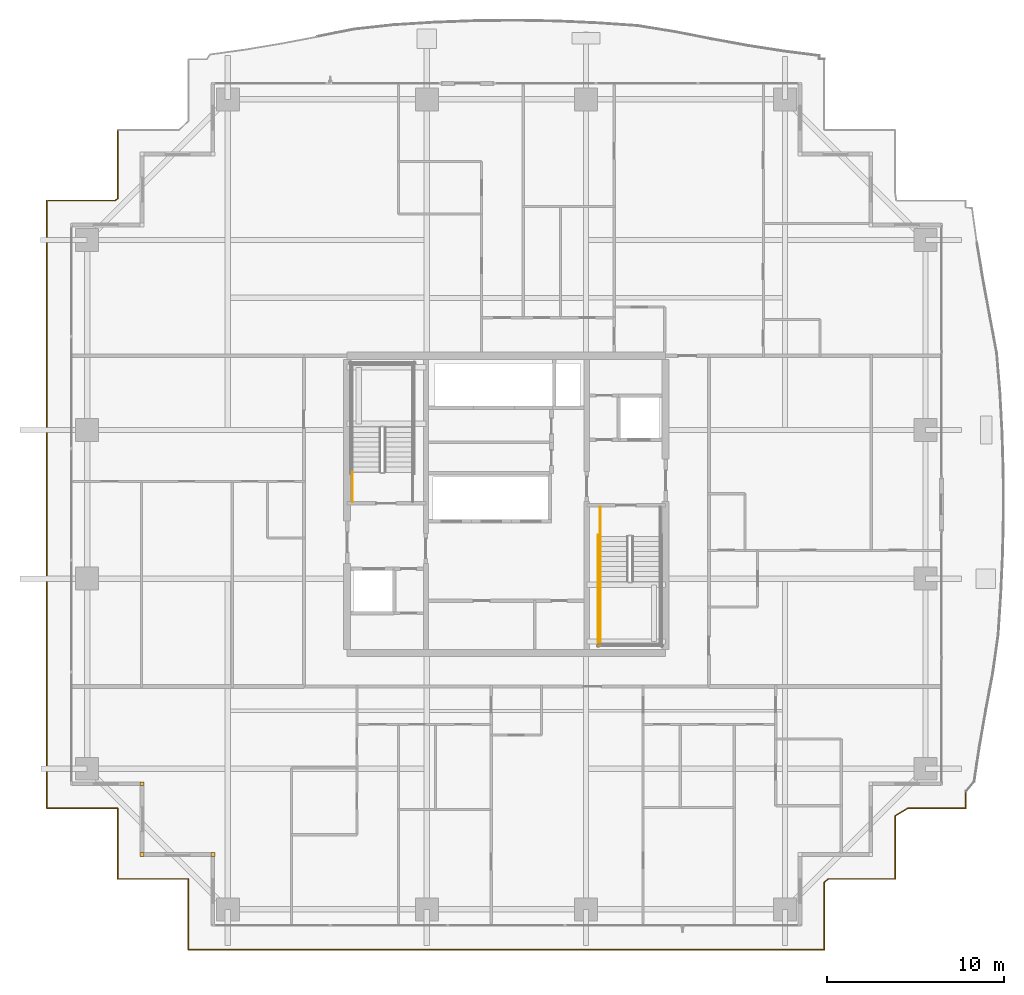
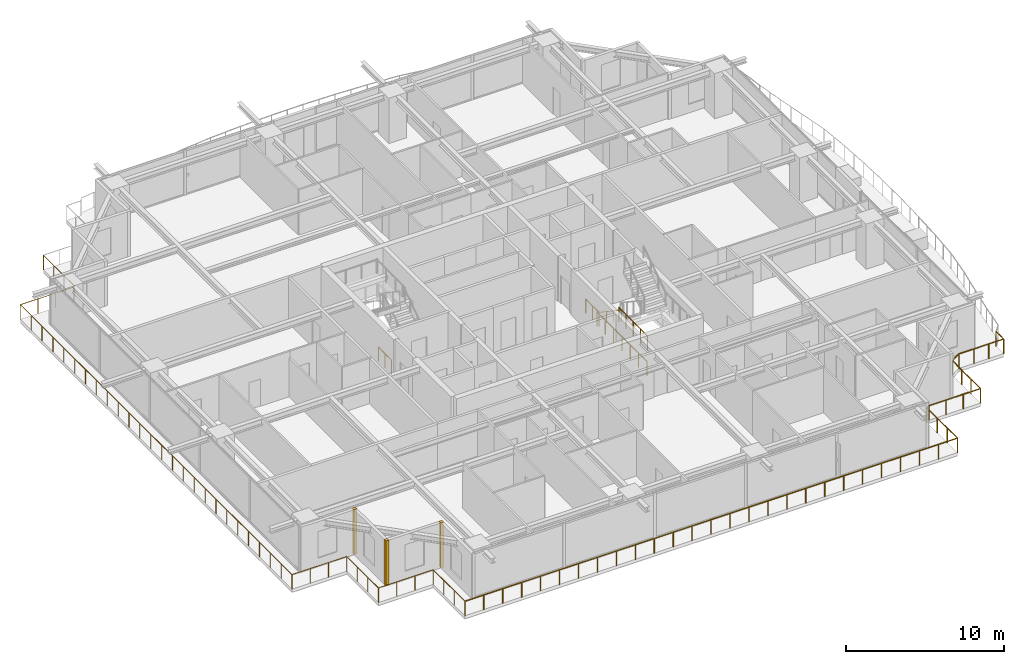
# One storey, part 30 of 34: 7 railings, 3 coverings.
"""IFC4 building model written with IfcOpenShell, lengths in metres."""

from ifc_helpers import new_model, si_unit, direction, frame, origin, origin_2d, place, context, subcontext, project, spatial, rectangle, circle, extrude, source, transform, mapped, material, layer, layer_set, type_object, element, save


model = new_model("IFC4")

# Units and contexts
model_context = context("Model", 3, precision=1e-05, world=origin(), true_north=direction((0.0, 1.0)))
body_context = subcontext(model_context, "Body", "Model", "MODEL_VIEW")
ifc_project = project(units=[si_unit("LENGTHUNIT", "METRE"), si_unit("AREAUNIT", "SQUARE_METRE"), si_unit("VOLUMEUNIT", "CUBIC_METRE"), si_unit("PLANEANGLEUNIT", "RADIAN"), si_unit("MASSUNIT", "GRAM", prefix="KILO")], contexts=[model_context])

# Site, building, storey
site_placement = place(None, origin())
site = spatial("IfcSite", under=ifc_project, at=site_placement, CompositionType="ELEMENT")
building_placement = place(site_placement, origin())
building = spatial("IfcBuilding", under=site, at=building_placement, Name="Serunith Strait Residences", CompositionType="ELEMENT")
storey_placement = place(building_placement, frame((0.0, 0.0, 135.14990234375)))
storey = spatial("IfcBuildingStorey", under=building, at=storey_placement, Name="L33", CompositionType="ELEMENT", Elevation=135.14990234375)

# Railings
ifc_material_1 = material(Name="Stainless Steel & Laminated Glass Balustrade", Category="steel")
railing_type_1 = type_object("IfcRailingType", Name="RLG-BALC-1150", PredefinedType="BALUSTRADE", material=ifc_material_1)
railing_1_placement = place(storey_placement, frame((58.3798828125, 8.976806640625, -0.0498046875)))
element("IfcRailing", 1, at=railing_1_placement, inside=storey, type_object=railing_type_1, Name="L33 Swirling Balcony Perimeter Balustrade 7", PredefinedType="BALUSTRADE", context=body_context, shape_type="SweptSolid", body=[
    extrude(circle(Radius=0.02392578125, at=origin_2d()), frame((0.0, -0.001953125, 1.1259765625), z_axis=(0.0, -1.0, 0.0), x_axis=(1.0, 0.0, 0.0)), (0.0, 0.0, 1.0), 0.952880859375),
    extrude(circle(Radius=0.02392578125, at=origin_2d()), frame((-0.001953125, -0.956787109375, 1.1259765625), z_axis=(-1.0, 0.0, 0.0), x_axis=(0.0, -1.0, 0.0)), (0.0, 0.0, 1.0), 3.260986328125),
    extrude(circle(Radius=0.02392578125, at=origin_2d()), frame((-3.2666015625, -0.957763671875, 1.1259765625), z_axis=(-0.857693933296, -0.514160594354, 0.0), x_axis=(0.514160594354, -0.857693933296, 0.0)), (0.0, 0.0, 1.0), 0.85302734375),
    extrude(circle(Radius=0.02392578125, at=origin_2d()), frame((-4.0, -1.3994140625, 1.1259765625), z_axis=(0.0, -1.0, 0.0), x_axis=(1.0, 0.0, 0.0)), (0.0, 0.0, 1.0), 3.555419921875),
    extrude(circle(Radius=0.02392578125, at=origin_2d()), frame((-4.001953125, -4.956787109375, 1.1259765625), z_axis=(-1.0, 0.0, 0.0), x_axis=(0.0, -1.0, 0.0)), (0.0, 0.0, 1.0), 3.774169921875),
    extrude(circle(Radius=0.02392578125, at=origin_2d()), frame((-7.779541015625, -4.9580078125, 1.1259765625), z_axis=(-0.778021630841, -0.62823748849, 0.0), x_axis=(0.62823748849, -0.778021630841, 0.0)), (0.0, 0.0, 1.0), 0.28125),
    extrude(circle(Radius=0.02392578125, at=origin_2d()), frame((-8.0, -5.137939453125, 1.1259765625), z_axis=(0.0, -1.0, 0.0), x_axis=(1.0, 0.0, 0.0)), (0.0, 0.0, 1.0), 3.81689453125),
    extrude(circle(Radius=0.02392578125, at=origin_2d()), frame((-8.001953125, -8.956787109375, 1.1259765625), z_axis=(-1.0, 0.0, 0.0), x_axis=(0.0, -1.0, 0.0)), (0.0, 0.0, 1.0), 35.9560546875),
    extrude(circle(Radius=0.02099609375, at=origin_2d()), origin(), (0.0, 0.0, 1.0), 1.099853515625),
    extrude(circle(Radius=0.02099609375, at=origin_2d()), frame((0.0, -0.956787109375, 0.0)), (0.0, 0.0, 1.0), 1.099853515625),
    extrude(circle(Radius=0.02099609375, at=origin_2d()), frame((-1.08837890625, -0.956787109375, 0.0)), (0.0, 0.0, 1.0), 1.099853515625),
    extrude(circle(Radius=0.02099609375, at=origin_2d()), frame((-2.176513671875, -0.956787109375, 0.0)), (0.0, 0.0, 1.0), 1.099853515625),
    extrude(circle(Radius=0.02099609375, at=origin_2d()), frame((-3.264892578125, -0.956787109375, 0.0)), (0.0, 0.0, 1.0), 1.099853515625),
    extrude(circle(Radius=0.02099609375, at=origin_2d()), frame((-4.0, -1.3974609375, 0.0)), (0.0, 0.0, 1.0), 1.099853515625),
    extrude(circle(Radius=0.02099609375, at=origin_2d()), frame((-4.0, -2.583984375, 0.0)), (0.0, 0.0, 1.0), 1.099853515625),
    extrude(circle(Radius=0.02099609375, at=origin_2d()), frame((-4.0, -3.770263671875, 0.0)), (0.0, 0.0, 1.0), 1.099853515625),
    extrude(circle(Radius=0.02099609375, at=origin_2d()), frame((-4.0, -4.956787109375, 0.0)), (0.0, 0.0, 1.0), 1.099853515625),
    extrude(circle(Radius=0.02099609375, at=origin_2d()), frame((-5.25927734375, -4.956787109375, 0.0)), (0.0, 0.0, 1.0), 1.099853515625),
    extrude(circle(Radius=0.02099609375, at=origin_2d()), frame((-6.518798828125, -4.956787109375, 0.0)), (0.0, 0.0, 1.0), 1.099853515625),
    extrude(circle(Radius=0.02099609375, at=origin_2d()), frame((-7.778076171875, -4.956787109375, 0.0)), (0.0, 0.0, 1.0), 1.099853515625),
    extrude(circle(Radius=0.02099609375, at=origin_2d()), frame((-8.0, -5.135986328125, 0.0)), (0.0, 0.0, 1.0), 1.099853515625),
    extrude(circle(Radius=0.02099609375, at=origin_2d()), frame((-8.0, -6.40966796875, 0.0)), (0.0, 0.0, 1.0), 1.099853515625),
    extrude(circle(Radius=0.02099609375, at=origin_2d()), frame((-8.0, -7.68310546875, 0.0)), (0.0, 0.0, 1.0), 1.099853515625),
    extrude(circle(Radius=0.02099609375, at=origin_2d()), frame((-8.0, -8.956787109375, 0.0)), (0.0, 0.0, 1.0), 1.099853515625),
    extrude(circle(Radius=0.02099609375, at=origin_2d()), frame((-9.383056640625, -8.956787109375, 0.0)), (0.0, 0.0, 1.0), 1.099853515625),
    extrude(circle(Radius=0.02099609375, at=origin_2d()), frame((-10.76611328125, -8.956787109375, 0.0)), (0.0, 0.0, 1.0), 1.099853515625),
    extrude(circle(Radius=0.02099609375, at=origin_2d()), frame((-12.149169921875, -8.956787109375, 0.0)), (0.0, 0.0, 1.0), 1.099853515625),
    extrude(circle(Radius=0.02099609375, at=origin_2d()), frame((-13.5322265625, -8.956787109375, 0.0)), (0.0, 0.0, 1.0), 1.099853515625),
    extrude(circle(Radius=0.02099609375, at=origin_2d()), frame((-14.915283203125, -8.956787109375, 0.0)), (0.0, 0.0, 1.0), 1.099853515625),
    extrude(circle(Radius=0.02099609375, at=origin_2d()), frame((-16.29833984375, -8.956787109375, 0.0)), (0.0, 0.0, 1.0), 1.099853515625),
    extrude(circle(Radius=0.02099609375, at=origin_2d()), frame((-17.681640625, -8.956787109375, 0.0)), (0.0, 0.0, 1.0), 1.099853515625),
    extrude(circle(Radius=0.02099609375, at=origin_2d()), frame((-19.064697265625, -8.956787109375, 0.0)), (0.0, 0.0, 1.0), 1.099853515625),
    extrude(circle(Radius=0.02099609375, at=origin_2d()), frame((-20.44775390625, -8.956787109375, 0.0)), (0.0, 0.0, 1.0), 1.099853515625),
    extrude(circle(Radius=0.02099609375, at=origin_2d()), frame((-21.830810546875, -8.956787109375, 0.0)), (0.0, 0.0, 1.0), 1.099853515625),
    extrude(circle(Radius=0.02099609375, at=origin_2d()), frame((-23.2138671875, -8.956787109375, 0.0)), (0.0, 0.0, 1.0), 1.099853515625),
    extrude(circle(Radius=0.02099609375, at=origin_2d()), frame((-24.596923828125, -8.956787109375, 0.0)), (0.0, 0.0, 1.0), 1.099853515625),
    extrude(circle(Radius=0.02099609375, at=origin_2d()), frame((-25.97998046875, -8.956787109375, 0.0)), (0.0, 0.0, 1.0), 1.099853515625),
    extrude(circle(Radius=0.02099609375, at=origin_2d()), frame((-27.363037109375, -8.956787109375, 0.0)), (0.0, 0.0, 1.0), 1.099853515625),
    extrude(circle(Radius=0.02099609375, at=origin_2d()), frame((-28.74609375, -8.956787109375, 0.0)), (0.0, 0.0, 1.0), 1.099853515625),
    extrude(circle(Radius=0.02099609375, at=origin_2d()), frame((-30.129150390625, -8.956787109375, 0.0)), (0.0, 0.0, 1.0), 1.099853515625),
    extrude(circle(Radius=0.02099609375, at=origin_2d()), frame((-31.51220703125, -8.956787109375, 0.0)), (0.0, 0.0, 1.0), 1.099853515625),
    extrude(circle(Radius=0.02099609375, at=origin_2d()), frame((-32.895263671875, -8.956787109375, 0.0)), (0.0, 0.0, 1.0), 1.099853515625),
    extrude(circle(Radius=0.02099609375, at=origin_2d()), frame((-34.2783203125, -8.956787109375, 0.0)), (0.0, 0.0, 1.0), 1.099853515625),
    extrude(circle(Radius=0.02099609375, at=origin_2d()), frame((-35.66162109375, -8.956787109375, 0.0)), (0.0, 0.0, 1.0), 1.099853515625),
    extrude(circle(Radius=0.02099609375, at=origin_2d()), frame((-37.044677734375, -8.956787109375, 0.0)), (0.0, 0.0, 1.0), 1.099853515625),
    extrude(circle(Radius=0.02099609375, at=origin_2d()), frame((-38.427734375, -8.956787109375, 0.0)), (0.0, 0.0, 1.0), 1.099853515625),
    extrude(circle(Radius=0.02099609375, at=origin_2d()), frame((-39.810791015625, -8.956787109375, 0.0)), (0.0, 0.0, 1.0), 1.099853515625),
    extrude(circle(Radius=0.02099609375, at=origin_2d()), frame((-41.19384765625, -8.956787109375, 0.0)), (0.0, 0.0, 1.0), 1.099853515625),
    extrude(circle(Radius=0.02099609375, at=origin_2d()), frame((-42.576904296875, -8.956787109375, 0.0)), (0.0, 0.0, 1.0), 1.099853515625),
    extrude(circle(Radius=0.02099609375, at=origin_2d()), frame((-43.9599609375, -8.956787109375, 0.0)), (0.0, 0.0, 1.0), 1.099853515625),
])
railing_2_placement = place(storey_placement, frame((14.419921875, 0.02001953125, -0.0498046875)))
element("IfcRailing", 2, at=railing_2_placement, inside=storey, type_object=railing_type_1, Name="L33 Swirling Balcony Perimeter Balustrade 8", PredefinedType="BALUSTRADE", context=body_context, shape_type="SweptSolid", body=[
    extrude(circle(Radius=0.02392578125, at=origin_2d()), frame((0.0, 0.001953125, 1.1259765625), z_axis=(0.0, 1.0, 0.0), x_axis=(-1.0, 0.0, 0.0)), (0.0, 0.0, 1.0), 3.99609375),
    extrude(circle(Radius=0.02392578125, at=origin_2d()), frame((-0.001953125, 4.0, 1.1259765625), z_axis=(-1.0, 0.0, 0.0), x_axis=(0.0, -1.0, 0.0)), (0.0, 0.0, 1.0), 3.99609375),
    extrude(circle(Radius=0.02392578125, at=origin_2d()), frame((-4.0, 4.001953125, 1.1259765625), z_axis=(0.0, 1.0, 0.0), x_axis=(-1.0, 0.0, 0.0)), (0.0, 0.0, 1.0), 3.99609375),
    extrude(circle(Radius=0.02392578125, at=origin_2d()), frame((-4.001953125, 8.0, 1.1259765625), z_axis=(-1.0, 0.0, 0.0), x_axis=(0.0, -1.0, 0.0)), (0.0, 0.0, 1.0), 3.99609375),
    extrude(circle(Radius=0.02392578125, at=origin_2d()), frame((-8.0, 8.001953125, 1.1259765625), z_axis=(0.0, 1.0, 0.0), x_axis=(-1.0, 0.0, 0.0)), (0.0, 0.0, 1.0), 34.35595703125),
    extrude(circle(Radius=0.02392578125, at=origin_2d()), frame((-7.998046875, 42.35986328125, 1.1259765625), z_axis=(1.0, 0.0, 0.0), x_axis=(0.0, 1.0, 0.0)), (0.0, 0.0, 1.0), 3.861083984375),
    extrude(circle(Radius=0.02392578125, at=origin_2d()), frame((-4.13330078125, 42.361083984375, 1.1259765625), z_axis=(0.808862567734, 0.587997743633, 0.0), x_axis=(-0.587997743633, 0.808862567734, 0.0)), (0.0, 0.0, 1.0), 0.162841796875),
    extrude(circle(Radius=0.02392578125, at=origin_2d()), frame((-4.0, 42.4599609375, 1.1259765625), z_axis=(0.0, 1.0, 0.0), x_axis=(-1.0, 0.0, 0.0)), (0.0, 0.0, 1.0), 3.89794921875),
    extrude(circle(Radius=0.02099609375, at=origin_2d()), origin(), (0.0, 0.0, 1.0), 1.099853515625),
    extrude(circle(Radius=0.02099609375, at=origin_2d()), frame((0.0, 1.333251953125, 0.0)), (0.0, 0.0, 1.0), 1.099853515625),
    extrude(circle(Radius=0.02099609375, at=origin_2d()), frame((0.0, 2.666748046875, 0.0)), (0.0, 0.0, 1.0), 1.099853515625),
    extrude(circle(Radius=0.02099609375, at=origin_2d()), frame((0.0, 4.0, 0.0)), (0.0, 0.0, 1.0), 1.099853515625),
    extrude(circle(Radius=0.02099609375, at=origin_2d()), frame((-1.333251953125, 4.0, 0.0)), (0.0, 0.0, 1.0), 1.099853515625),
    extrude(circle(Radius=0.02099609375, at=origin_2d()), frame((-2.666748046875, 4.0, 0.0)), (0.0, 0.0, 1.0), 1.099853515625),
    extrude(circle(Radius=0.02099609375, at=origin_2d()), frame((-4.0, 4.0, 0.0)), (0.0, 0.0, 1.0), 1.099853515625),
    extrude(circle(Radius=0.02099609375, at=origin_2d()), frame((-4.0, 5.333251953125, 0.0)), (0.0, 0.0, 1.0), 1.099853515625),
    extrude(circle(Radius=0.02099609375, at=origin_2d()), frame((-4.0, 6.666748046875, 0.0)), (0.0, 0.0, 1.0), 1.099853515625),
    extrude(circle(Radius=0.02099609375, at=origin_2d()), frame((-4.0, 8.0, 0.0)), (0.0, 0.0, 1.0), 1.099853515625),
    extrude(circle(Radius=0.02099609375, at=origin_2d()), frame((-5.333251953125, 8.0, 0.0)), (0.0, 0.0, 1.0), 1.099853515625),
    extrude(circle(Radius=0.02099609375, at=origin_2d()), frame((-6.666748046875, 8.0, 0.0)), (0.0, 0.0, 1.0), 1.099853515625),
    extrude(circle(Radius=0.02099609375, at=origin_2d()), frame((-8.0, 8.0, 0.0)), (0.0, 0.0, 1.0), 1.099853515625),
    extrude(circle(Radius=0.02099609375, at=origin_2d()), frame((-8.0, 9.37451171875, 0.0)), (0.0, 0.0, 1.0), 1.099853515625),
    extrude(circle(Radius=0.02099609375, at=origin_2d()), frame((-8.0, 10.748779296875, 0.0)), (0.0, 0.0, 1.0), 1.099853515625),
    extrude(circle(Radius=0.02099609375, at=origin_2d()), frame((-8.0, 12.123291015625, 0.0)), (0.0, 0.0, 1.0), 1.099853515625),
    extrude(circle(Radius=0.02099609375, at=origin_2d()), frame((-8.0, 13.49755859375, 0.0)), (0.0, 0.0, 1.0), 1.099853515625),
    extrude(circle(Radius=0.02099609375, at=origin_2d()), frame((-8.0, 14.8720703125, 0.0)), (0.0, 0.0, 1.0), 1.099853515625),
    extrude(circle(Radius=0.02099609375, at=origin_2d()), frame((-8.0, 16.246337890625, 0.0)), (0.0, 0.0, 1.0), 1.099853515625),
    extrude(circle(Radius=0.02099609375, at=origin_2d()), frame((-8.0, 17.620849609375, 0.0)), (0.0, 0.0, 1.0), 1.099853515625),
    extrude(circle(Radius=0.02099609375, at=origin_2d()), frame((-8.0, 18.9951171875, 0.0)), (0.0, 0.0, 1.0), 1.099853515625),
    extrude(circle(Radius=0.02099609375, at=origin_2d()), frame((-8.0, 20.36962890625, 0.0)), (0.0, 0.0, 1.0), 1.099853515625),
    extrude(circle(Radius=0.02099609375, at=origin_2d()), frame((-8.0, 21.743896484375, 0.0)), (0.0, 0.0, 1.0), 1.099853515625),
    extrude(circle(Radius=0.02099609375, at=origin_2d()), frame((-8.0, 23.118408203125, 0.0)), (0.0, 0.0, 1.0), 1.099853515625),
    extrude(circle(Radius=0.02099609375, at=origin_2d()), frame((-8.0, 24.49267578125, 0.0)), (0.0, 0.0, 1.0), 1.099853515625),
    extrude(circle(Radius=0.02099609375, at=origin_2d()), frame((-8.0, 25.8671875, 0.0)), (0.0, 0.0, 1.0), 1.099853515625),
    extrude(circle(Radius=0.02099609375, at=origin_2d()), frame((-8.0, 27.241455078125, 0.0)), (0.0, 0.0, 1.0), 1.099853515625),
    extrude(circle(Radius=0.02099609375, at=origin_2d()), frame((-8.0, 28.615966796875, 0.0)), (0.0, 0.0, 1.0), 1.099853515625),
    extrude(circle(Radius=0.02099609375, at=origin_2d()), frame((-8.0, 29.990234375, 0.0)), (0.0, 0.0, 1.0), 1.099853515625),
    extrude(circle(Radius=0.02099609375, at=origin_2d()), frame((-8.0, 31.36474609375, 0.0)), (0.0, 0.0, 1.0), 1.099853515625),
    extrude(circle(Radius=0.02099609375, at=origin_2d()), frame((-8.0, 32.739013671875, 0.0)), (0.0, 0.0, 1.0), 1.099853515625),
    extrude(circle(Radius=0.02099609375, at=origin_2d()), frame((-8.0, 34.113525390625, 0.0)), (0.0, 0.0, 1.0), 1.099853515625),
    extrude(circle(Radius=0.02099609375, at=origin_2d()), frame((-8.0, 35.48779296875, 0.0)), (0.0, 0.0, 1.0), 1.099853515625),
    extrude(circle(Radius=0.02099609375, at=origin_2d()), frame((-8.0, 36.8623046875, 0.0)), (0.0, 0.0, 1.0), 1.099853515625),
    extrude(circle(Radius=0.02099609375, at=origin_2d()), frame((-8.0, 38.236572265625, 0.0)), (0.0, 0.0, 1.0), 1.099853515625),
    extrude(circle(Radius=0.02099609375, at=origin_2d()), frame((-8.0, 39.611083984375, 0.0)), (0.0, 0.0, 1.0), 1.099853515625),
    extrude(circle(Radius=0.02099609375, at=origin_2d()), frame((-8.0, 40.9853515625, 0.0)), (0.0, 0.0, 1.0), 1.099853515625),
    extrude(circle(Radius=0.02099609375, at=origin_2d()), frame((-8.0, 42.35986328125, 0.0)), (0.0, 0.0, 1.0), 1.099853515625),
    extrude(circle(Radius=0.02099609375, at=origin_2d()), frame((-6.711669921875, 42.35986328125, 0.0)), (0.0, 0.0, 1.0), 1.099853515625),
    extrude(circle(Radius=0.02099609375, at=origin_2d()), frame((-5.42333984375, 42.35986328125, 0.0)), (0.0, 0.0, 1.0), 1.099853515625),
    extrude(circle(Radius=0.02099609375, at=origin_2d()), frame((-4.135009765625, 42.35986328125, 0.0)), (0.0, 0.0, 1.0), 1.099853515625),
    extrude(circle(Radius=0.02099609375, at=origin_2d()), frame((-4.0, 42.4580078125, 0.0)), (0.0, 0.0, 1.0), 1.099853515625),
    extrude(circle(Radius=0.02099609375, at=origin_2d()), frame((-4.0, 43.758544921875, 0.0)), (0.0, 0.0, 1.0), 1.099853515625),
    extrude(circle(Radius=0.02099609375, at=origin_2d()), frame((-4.0, 45.059326171875, 0.0)), (0.0, 0.0, 1.0), 1.099853515625),
    extrude(circle(Radius=0.02099609375, at=origin_2d()), frame((-4.0, 46.35986328125, 0.0)), (0.0, 0.0, 1.0), 1.099853515625),
])
ifc_material_2 = material(Name="Brushed stainless steel 316L", Category="steel")
railing_type_2 = type_object("IfcRailingType", Name="RLG-STAIR-GUARD", PredefinedType="BALUSTRADE", material=ifc_material_2)
railing_3_placement = place(storey_placement, frame((23.699951171875, 25.35009765625, 0.0)))
element("IfcRailing", 3, at=railing_3_placement, inside=storey, type_object=railing_type_2, Name="L33 ST-1 stair guard 9", PredefinedType="BALUSTRADE", context=body_context, shape_type="SweptSolid", body=[
    extrude(circle(Radius=0.02392578125, at=origin_2d()), frame((0.0, 0.001953125, 1.076171875), z_axis=(0.0, 1.0, 0.0), x_axis=(-1.0, 0.0, 0.0)), (0.0, 0.0, 1.0), 1.676025390625),
    extrude(circle(Radius=0.02099609375, at=origin_2d()), origin(), (0.0, 0.0, 1.0), 1.050048828125),
    extrude(circle(Radius=0.02099609375, at=origin_2d()), frame((0.0, 0.83984375, 0.0)), (0.0, 0.0, 1.0), 1.050048828125),
    extrude(circle(Radius=0.02099609375, at=origin_2d()), frame((0.0, 1.679931640625, 0.0)), (0.0, 0.0, 1.0), 1.050048828125),
])
railing_4_placement = place(storey_placement, frame((37.699951171875, 20.85009765625, 1.875)))
element("IfcRailing", 4, at=railing_4_placement, inside=storey, type_object=railing_type_2, Name="L33 ST-2 stair guard 3", PredefinedType="BALUSTRADE", context=body_context, shape_type="SweptSolid", body=[
    extrude(circle(Radius=0.02392578125, at=origin_2d()), frame((0.0, -0.001953125, 1.076171875), z_axis=(0.0, -1.0, 0.0), x_axis=(1.0, 0.0, 0.0)), (0.0, 0.0, 1.0), 3.59619140625),
    extrude(circle(Radius=0.02099609375, at=origin_2d()), origin(), (0.0, 0.0, 1.0), 1.050048828125),
    extrude(circle(Radius=0.02099609375, at=origin_2d()), frame((0.0, -0.89990234375, 0.0)), (0.0, 0.0, 1.0), 1.050048828125),
    extrude(circle(Radius=0.02099609375, at=origin_2d()), frame((0.0, -1.800048828125, 0.0)), (0.0, 0.0, 1.0), 1.050048828125),
    extrude(circle(Radius=0.02099609375, at=origin_2d()), frame((0.0, -2.7001953125, 0.0)), (0.0, 0.0, 1.0), 1.050048828125),
    extrude(circle(Radius=0.02099609375, at=origin_2d()), frame((0.0, -3.60009765625, 0.0)), (0.0, 0.0, 1.0), 1.050048828125),
])
railing_5_placement = place(storey_placement, frame((37.699951171875, 25.050048828125, 0.0)))
element("IfcRailing", 5, at=railing_5_placement, inside=storey, type_object=railing_type_2, Name="L33 ST-2 stair guard 8", PredefinedType="BALUSTRADE", context=body_context, shape_type="SweptSolid", body=[
    extrude(circle(Radius=0.02392578125, at=origin_2d()), frame((0.0, -0.001953125, 1.076171875), z_axis=(0.0, -1.0, 0.0), x_axis=(1.0, 0.0, 0.0)), (0.0, 0.0, 1.0), 1.676025390625),
    extrude(circle(Radius=0.02099609375, at=origin_2d()), origin(), (0.0, 0.0, 1.0), 1.050048828125),
    extrude(circle(Radius=0.02099609375, at=origin_2d()), frame((0.0, -0.83984375, 0.0)), (0.0, 0.0, 1.0), 1.050048828125),
    extrude(circle(Radius=0.02099609375, at=origin_2d()), frame((0.0, -1.679931640625, 0.0)), (0.0, 0.0, 1.0), 1.050048828125),
])
railing_6_placement = place(storey_placement, frame((37.60009765625, 23.469970703125, 0.0)))
element("IfcRailing", 6, at=railing_6_placement, inside=storey, type_object=railing_type_2, Name="L33 ST-2 stair guard 10", PredefinedType="BALUSTRADE", context=body_context, shape_type="SweptSolid", body=[
    extrude(circle(Radius=0.02392578125, at=origin_2d()), frame((0.0, -0.001953125, 1.076171875), z_axis=(0.0, -1.0, 0.0), x_axis=(1.0, 0.0, 0.0)), (0.0, 0.0, 1.0), 6.316162109375),
    extrude(circle(Radius=0.02099609375, at=origin_2d()), origin(), (0.0, 0.0, 1.0), 1.050048828125),
    extrude(circle(Radius=0.02099609375, at=origin_2d()), frame((0.0, -1.05322265625, 0.0)), (0.0, 0.0, 1.0), 1.050048828125),
    extrude(circle(Radius=0.02099609375, at=origin_2d()), frame((0.0, -2.106689453125, 0.0)), (0.0, 0.0, 1.0), 1.050048828125),
    extrude(circle(Radius=0.02099609375, at=origin_2d()), frame((0.0, -3.16015625, 0.0)), (0.0, 0.0, 1.0), 1.050048828125),
    extrude(circle(Radius=0.02099609375, at=origin_2d()), frame((0.0, -4.21337890625, 0.0)), (0.0, 0.0, 1.0), 1.050048828125),
    extrude(circle(Radius=0.02099609375, at=origin_2d()), frame((0.0, -5.2666015625, 0.0)), (0.0, 0.0, 1.0), 1.050048828125),
    extrude(circle(Radius=0.02099609375, at=origin_2d()), frame((0.0, -6.320068359375, 0.0)), (0.0, 0.0, 1.0), 1.050048828125),
])
railing_type_3 = type_object("IfcRailingType", Name="RLG-STAIR-HR", PredefinedType="HANDRAIL", material=ifc_material_2)
railing_7_placement = place(storey_placement, frame((37.699951171875, 23.3701171875, 0.1875)))
element("IfcRailing", 7, at=railing_7_placement, inside=storey, type_object=railing_type_3, Name="L33 ST-2 stair handrail 1", PredefinedType="HANDRAIL", context=body_context, shape_type="SweptSolid", body=[
    extrude(circle(Radius=0.02392578125, at=origin_2d()), frame((0.0, -0.001708984375, 0.876953125), z_axis=(0.0, -0.830208209119, 0.557453432594), x_axis=(1.0, 0.0, 0.0)), (0.0, 0.0, 1.0), 3.36865234375),
    extrude(circle(Radius=0.02099609375, at=origin_2d()), origin(), (0.0, 0.0, 1.0), 0.849853515625),
    extrude(circle(Radius=0.02099609375, at=origin_2d()), frame((0.0, -0.933349609375, 0.626708984375)), (0.0, 0.0, 1.0), 0.849853515625),
    extrude(circle(Radius=0.02099609375, at=origin_2d()), frame((0.0, -1.86669921875, 1.25341796875)), (0.0, 0.0, 1.0), 0.849853515625),
    extrude(circle(Radius=0.02099609375, at=origin_2d()), frame((0.0, -2.800048828125, 1.880126953125)), (0.0, 0.0, 1.0), 0.849853515625),
])

# Coverings
ifc_material_3 = material(Name="Pale-Champagne Anodised Aluminium", Category="aluminium")
ifc_layer = layer(ifc_material_3, 0.219970703125, Name="Pale-Champagne Anodised Aluminium")
ifc_layer_set = layer_set([ifc_layer], Name="Pale-Champagne Anodised Aluminium")
covering_type = type_object("IfcCoveringType", Name="COV-CORN-TRIM", PredefinedType="CLADDING", material=ifc_layer_set)
shared_shape = source(origin(), body_context, "Body", "SweptSolid", [
    extrude(rectangle(XDim=0.221923828125, YDim=0.221923828125, at=origin_2d()), origin(), (0.0, 0.0, 1.0), 3.47509765625),
])
for number, where, z_axis, x_axis, name in (
    (8, (11.800048828125, 9.39990234375, 0.0), (0.0, 0.0, 1.0), (1.0, 0.0, 0.0), "L33 Girih Serrated Corner Trim Post 17"),
    (9, (11.800048828125, 5.39990234375, 0.0), (0.0, 0.0, 1.0), (1.0, 0.0, 0.0), "L33 Girih Serrated Corner Trim Post 18"),
    (10, (15.800048828125, 5.39990234375, 0.0), (0.0, 0.0, 1.0), (1.0, 0.0, 0.0), "L33 Girih Serrated Corner Trim Post 19"),
):
    element("IfcCovering", number, at=place(storey_placement, frame(where, z_axis=z_axis, x_axis=x_axis)), inside=storey, type_object=covering_type, Name=name, PredefinedType="CLADDING", context=body_context, shape_type="MappedRepresentation", body=[
        mapped(shared_shape, transform((0.0, 0.0, 0.0), scale=1.0)),
    ])

save(model, "model.ifc")
